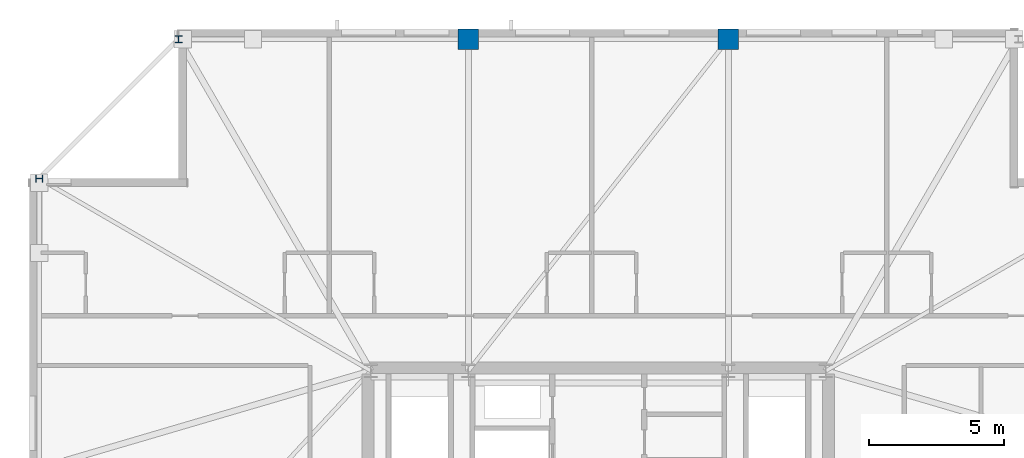
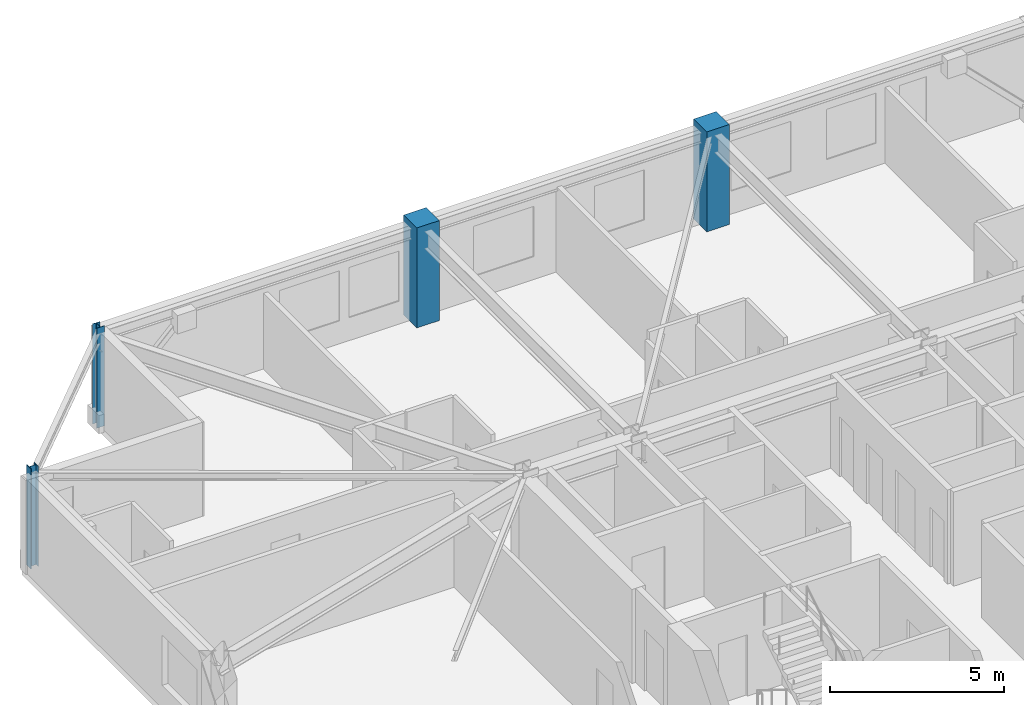
# One storey, part 4 of 14: 4 columns.
"""IFC4 building model written with IfcOpenShell, lengths in metres."""

from ifc_helpers import new_model, si_unit, direction, frame, origin, origin_2d, place, context, subcontext, project, spatial, rectangle, i_section, extrude, material, material_profile, profile_set, type_object, element, save


model = new_model("IFC4")

# Units and contexts
model_context = context("Model", 3, precision=1e-05, world=origin(), true_north=direction((0.0, 1.0)))
body_context = subcontext(model_context, "Body", "Model", "MODEL_VIEW")
ifc_project = project(units=[si_unit("LENGTHUNIT", "METRE"), si_unit("AREAUNIT", "SQUARE_METRE"), si_unit("VOLUMEUNIT", "CUBIC_METRE"), si_unit("PLANEANGLEUNIT", "RADIAN"), si_unit("MASSUNIT", "GRAM", prefix="KILO")], contexts=[model_context])

# Site, building, storey
site_placement = place(None, origin())
site = spatial("IfcSite", under=ifc_project, at=site_placement, CompositionType="ELEMENT")
building_placement = place(site_placement, origin())
building = spatial("IfcBuilding", under=site, at=building_placement, Name="Cairnveth Concourse Tower", CompositionType="ELEMENT")
storey_placement = place(building_placement, frame((0.0, 0.0, 301.5)))
storey = spatial("IfcBuildingStorey", under=building, at=storey_placement, Name="L83", CompositionType="ELEMENT", Elevation=301.5)

# Columns
ifc_material_1 = material(Name="Concrete N50 (50 MPa)", Category="concrete")
ifc_material_profile_1 = material_profile(ifc_material_1, rectangle(XDim=0.75, YDim=0.75, at=origin_2d()), Name="RC-COL-750x750")
ifc_profile_set_1 = profile_set([ifc_material_profile_1], Name="Concrete N50 (50 MPa)")
column_type_1 = type_object("IfcColumnType", Name="PERIMETER PIER COLUMN 750X750", PredefinedType="COLUMN", material=ifc_profile_set_1)
for number, where, z_axis, x_axis, name in (
    (1, (56.800048828125, 59.64990234375, 0.0), (0.0, 0.0, 1.0), (1.0, 0.0, 0.0), "Column P-N2 L83"),
    (2, (47.199951171875, 59.64990234375, 0.0), (0.0, 0.0, 1.0), (1.0, 0.0, 0.0), "Column P-N3 L83"),
):
    element("IfcColumn", number, at=place(storey_placement, frame(where, z_axis=z_axis, x_axis=x_axis)), inside=storey, type_object=column_type_1, Name=name, PredefinedType="COLUMN", context=body_context, shape_type="SweptSolid", body=[
        extrude(rectangle(XDim=0.75, YDim=0.75, at=origin_2d()), origin(), (0.0, 0.0, 1.0), 3.5),
    ])
ifc_material_2 = material(Name="Steel Grade 350", Category="steel")
ifc_material_profile_2 = material_profile(ifc_material_2, i_section(OverallWidth=0.25390625, OverallDepth=0.25390625, WebThickness=0.008544921875, FlangeThickness=0.01416015625, FilletRadius=0.012939453125, at=origin_2d()), Name="250UC72.9")
ifc_profile_set_2 = profile_set([ifc_material_profile_2], Name="Steel Grade 350")
column_type_2 = type_object("IfcColumnType", Name="UNIVERSAL STEEL COLUMN 250UC72.9", PredefinedType="COLUMN", material=ifc_profile_set_2)
for number, where, z_axis, x_axis, name in (
    (3, (36.5, 59.64990234375, 0.0), (0.0, 0.0, 1.0), (1.0, 0.0, 0.0), "Column P-N4 L83"),
    (4, (31.35009765625, 54.5, 0.0), (0.0, 0.0, 1.0), (0.0, 1.0, 0.0), "Column P-W1 L83"),
):
    element("IfcColumn", number, at=place(storey_placement, frame(where, z_axis=z_axis, x_axis=x_axis)), inside=storey, type_object=column_type_2, Name=name, PredefinedType="COLUMN", context=body_context, shape_type="SweptSolid", body=[
        extrude(i_section(OverallWidth=0.25390625, OverallDepth=0.25390625, WebThickness=0.008544921875, FlangeThickness=0.01416015625, FilletRadius=0.012939453125, at=origin_2d()), origin(), (0.0, 0.0, 1.0), 3.5),
    ])

save(model, "model.ifc")
